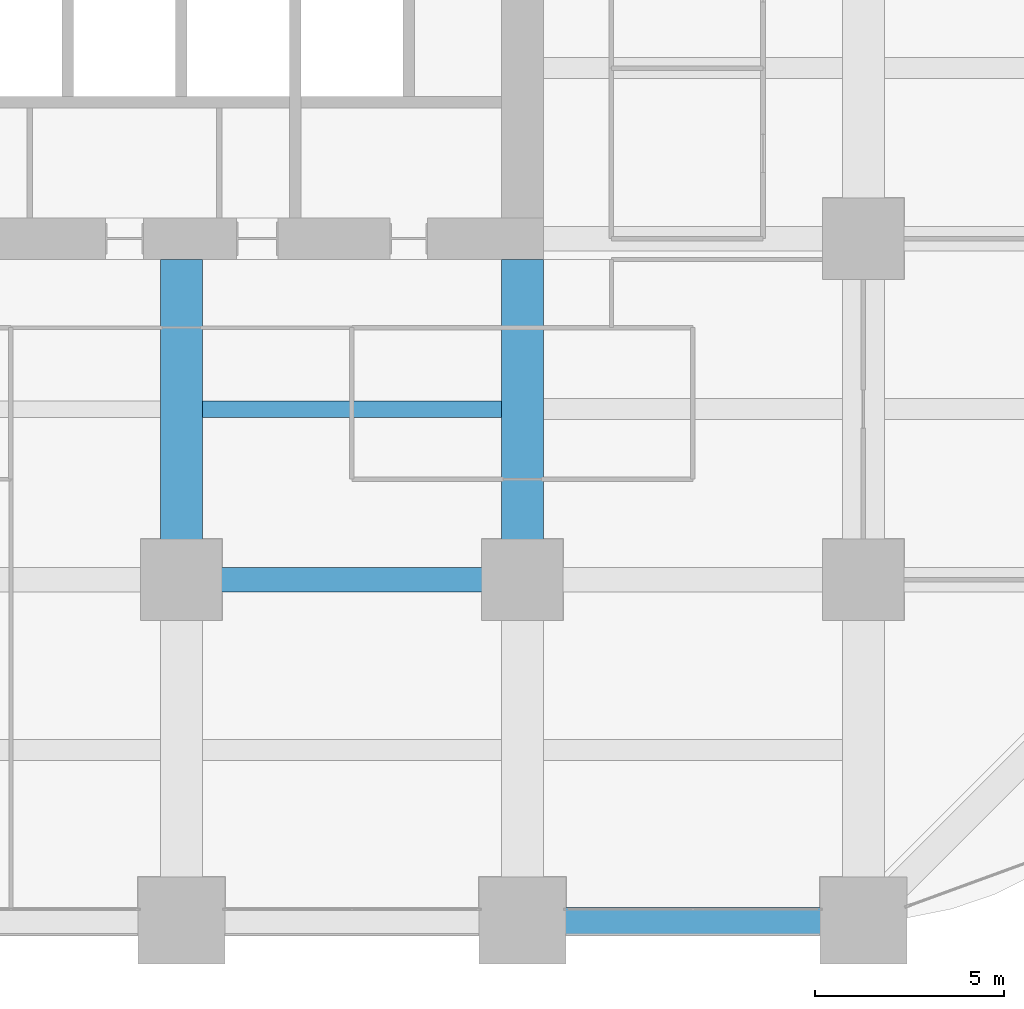
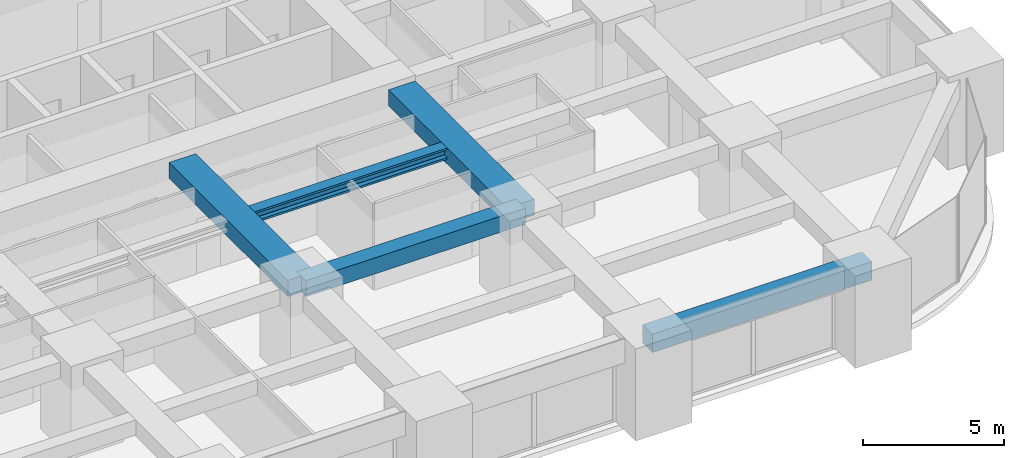
# One storey, part 14 of 44: 5 beams.
"""IFC4 building model written with IfcOpenShell, lengths in metres."""

from ifc_helpers import new_model, si_unit, direction, frame, origin, origin_2d, place, context, subcontext, project, spatial, rectangle, i_section, extrude, material, material_profile, profile_set, type_object, element, save


model = new_model("IFC4")

# Units and contexts
model_context = context("Model", 3, precision=1e-05, world=origin(), true_north=direction((0.0, 1.0)))
body_context = subcontext(model_context, "Body", "Model", "MODEL_VIEW")
ifc_project = project(units=[si_unit("LENGTHUNIT", "METRE"), si_unit("AREAUNIT", "SQUARE_METRE"), si_unit("VOLUMEUNIT", "CUBIC_METRE"), si_unit("PLANEANGLEUNIT", "RADIAN"), si_unit("MASSUNIT", "GRAM", prefix="KILO")], contexts=[model_context])

# Site, building, storey
site_placement = place(None, origin())
site = spatial("IfcSite", under=ifc_project, at=site_placement, CompositionType="ELEMENT")
building_placement = place(site_placement, origin())
building = spatial("IfcBuilding", under=site, at=building_placement, Name="Zorevar Civic Tower", CompositionType="ELEMENT")
storey_placement = place(building_placement, frame((0.0, 0.0, 59.800048828125)))
storey = spatial("IfcBuildingStorey", under=building, at=storey_placement, Name="L14", CompositionType="ELEMENT", Elevation=59.800048828125)

# Beams
ifc_material_1 = material(Name="Concrete C50/60", Category="concrete")
ifc_material_profile_1 = material_profile(ifc_material_1, rectangle(XDim=1.10009765625, YDim=0.699951171875, at=origin_2d()), Name="RC 1100x700")
ifc_profile_set_1 = profile_set([ifc_material_profile_1], Name="Concrete C50/60")
beam_type_1 = type_object("IfcBeamType", Name="Beam RC 1100x700", PredefinedType="BEAM", material=ifc_profile_set_1)
for number, where, z_axis, x_axis, name in (
    (1, (36.0, 9.0, 3.39990234375), (0.0, 1.0, 0.0), (-1.0, 0.0, 0.0), "Girder L15"),
    (2, (45.0, 9.0, 3.39990234375), (0.0, 1.0, 0.0), (-1.0, 0.0, 0.0), "Girder L15"),
):
    element("IfcBeam", number, at=place(storey_placement, frame(where, z_axis=z_axis, x_axis=x_axis)), inside=storey, type_object=beam_type_1, Name=name, PredefinedType="BEAM", context=body_context, shape_type="SweptSolid", body=[
        extrude(rectangle(XDim=1.10009765625, YDim=0.699951171875, at=origin_2d()), origin(), (0.0, 0.0, 1.0), 8.449951171875),
    ])
ifc_material_2 = material(Name="Concrete C50/60", Category="concrete")
ifc_material_profile_2 = material_profile(ifc_material_2, rectangle(XDim=0.64990234375, YDim=0.699951171875, at=origin_2d()), Name="RC 650x700")
ifc_profile_set_2 = profile_set([ifc_material_profile_2], Name="Concrete C50/60")
beam_type_2 = type_object("IfcBeamType", Name="Beam RC 650x700", PredefinedType="BEAM", material=ifc_profile_set_2)
beam_1_placement = place(storey_placement, frame((36.0, 9.0, 3.39990234375), z_axis=(1.0, 0.0, 0.0), x_axis=(0.0, 1.0, 0.0)))
element("IfcBeam", 3, at=beam_1_placement, inside=storey, type_object=beam_type_2, Name="Girder L15", PredefinedType="BEAM", context=body_context, shape_type="SweptSolid", body=[
    extrude(rectangle(XDim=0.64990234375, YDim=0.699951171875, at=origin_2d()), origin(), (0.0, 0.0, 1.0), 9.0),
])
ifc_material_3 = material(Name="Steel S460M (HISTAR 460)", Category="steel")
ifc_material_profile_3 = material_profile(ifc_material_3, i_section(OverallWidth=0.431884765625, OverallDepth=0.498046875, WebThickness=0.0556640625, FlangeThickness=0.0888671875, FilletRadius=0.014892578125, at=origin_2d()), Name="HD 400x744")
ifc_profile_set_3 = profile_set([ifc_material_profile_3], Name="Steel S460M (HISTAR 460)")
beam_type_3 = type_object("IfcBeamType", Name="Core bay beam HD 400x744", PredefinedType="BEAM", material=ifc_profile_set_3)
beam_2_placement = place(storey_placement, frame((36.550048828125, 13.5, 3.5009765625), z_axis=(1.0, 0.0, 0.0), x_axis=(0.0, 1.0, 0.0)))
element("IfcBeam", 4, at=beam_2_placement, inside=storey, type_object=beam_type_3, Name="Secondary beam L15", PredefinedType="BEAM", context=body_context, shape_type="SweptSolid", body=[
    extrude(i_section(OverallWidth=0.431884765625, OverallDepth=0.498046875, WebThickness=0.0556640625, FlangeThickness=0.0888671875, FilletRadius=0.014892578125, at=origin_2d()), origin(), (0.0, 0.0, 1.0), 7.89990234375),
])
ifc_material_4 = material(Name="Concrete C50/60", Category="concrete")
ifc_material_profile_4 = material_profile(ifc_material_4, rectangle(XDim=0.699951171875, YDim=0.800048828125, at=origin_2d()), Name="RC 700x800")
ifc_profile_set_4 = profile_set([ifc_material_profile_4], Name="Concrete C50/60")
beam_type_4 = type_object("IfcBeamType", Name="Edge beam RC 700x800", PredefinedType="SPANDREL", material=ifc_profile_set_4)
beam_3_placement = place(storey_placement, frame((45.0, 0.0, 3.349853515625), z_axis=(1.0, 0.0, 0.0), x_axis=(0.0, 1.0, 0.0)))
element("IfcBeam", 5, at=beam_3_placement, inside=storey, type_object=beam_type_4, Name="Edge beam L15", PredefinedType="SPANDREL", context=body_context, shape_type="SweptSolid", body=[
    extrude(rectangle(XDim=0.699951171875, YDim=0.800048828125, at=origin_2d()), origin(), (0.0, 0.0, 1.0), 9.0),
])

save(model, "model.ifc")
